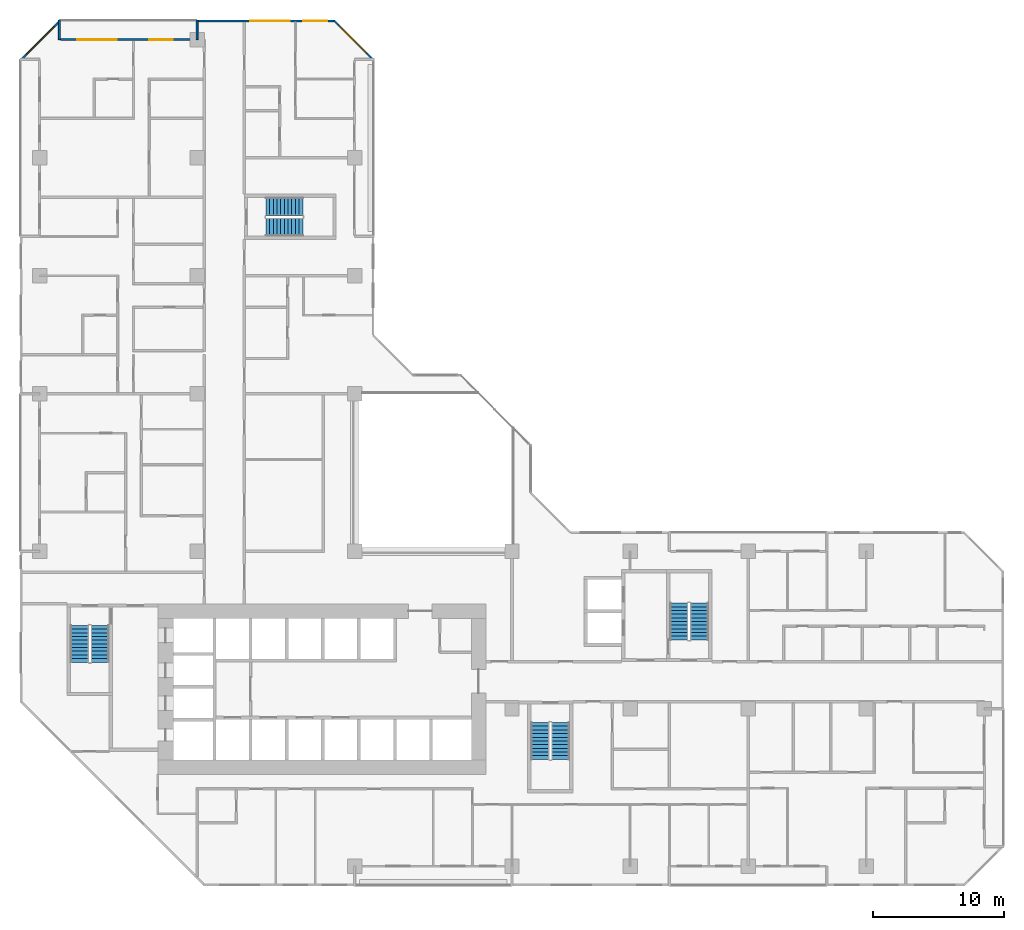
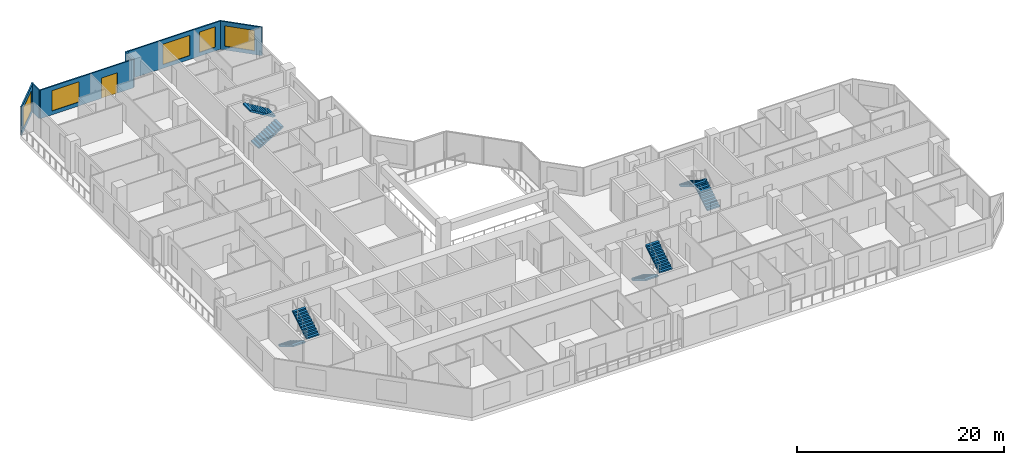
# One storey, part 13 of 15: 8 stair flights, 6 walls, 5 windows, 1 door, 6 openings, 4 elements without a shape of their own.
"""IFC4 building model written with IfcOpenShell, lengths in metres."""

from ifc_helpers import new_model, si_unit, direction, frame, frame_2d, origin, place, context, subcontext, project, spatial, polyline, rectangle, outline, extrude, material, layer, layer_set, type_object, element, fill, aggregate, save


model = new_model("IFC4")

# Units and contexts
model_context = context("Model", 3, precision=1e-05, world=origin(), true_north=direction((0.0, 1.0)))
body_context = subcontext(model_context, "Body", "Model", "MODEL_VIEW")
ifc_project = project(units=[si_unit("LENGTHUNIT", "METRE"), si_unit("AREAUNIT", "SQUARE_METRE"), si_unit("VOLUMEUNIT", "CUBIC_METRE"), si_unit("PLANEANGLEUNIT", "RADIAN"), si_unit("MASSUNIT", "GRAM", prefix="KILO")], contexts=[model_context])

# Site, building, storey
site_placement = place(None, origin())
site = spatial("IfcSite", under=ifc_project, at=site_placement, CompositionType="ELEMENT")
building_placement = place(site_placement, origin())
building = spatial("IfcBuilding", under=site, at=building_placement, Name="Chenar Terraces", CompositionType="ELEMENT")
storey_placement = place(building_placement, frame((0.0, 0.0, 52.64990234375)))
storey = spatial("IfcBuildingStorey", under=building, at=storey_placement, Name="L10", CompositionType="ELEMENT", Elevation=52.64990234375)

# Wall, openings, windows
ifc_material_1 = material(Name="Aluminium framed glazing", Category="aluminium")
ifc_layer_1 = layer(ifc_material_1, 0.14990234375)
ifc_layer_set_1 = layer_set([ifc_layer_1], Name="Aluminium framed glazing")
wall_type_1 = type_object("IfcWallType", Name="Glazed flush facade wall 150", PredefinedType="SOLIDWALL", material=ifc_layer_set_1)
wall_1_placement = place(storey_placement, frame((22.5, 64.425048828125, 0.0), z_axis=(0.0, 0.0, 1.0), x_axis=(-1.0, 0.0, 0.0)))
wall_1 = element("IfcWall", 1, at=wall_1_placement, inside=storey, type_object=wall_type_1, Name="Glazed flush facade wall", PredefinedType="SOLIDWALL", context=body_context, shape_type="SweptSolid", body=[
    extrude(rectangle(XDim=10.425048828125, YDim=0.14990234375, at=frame_2d((5.21240234375, 0.0))), origin(), (0.0, 0.0, 1.0), 3.35009765625),
])
opening_1_placement = place(wall_1_placement, frame((0.60009765625, 0.0, 0.449951171875)))
opening_1 = element("IfcOpeningElement", 2, at=opening_1_placement, cuts=wall_1, Name="Opening W180x240", PredefinedType="OPENING", context=body_context, shape_type="SweptSolid", body=[
    extrude(rectangle(XDim=1.800048828125, YDim=2.39990234375, at=frame_2d((0.89990234375, 1.199951171875))), frame((0.0, 0.0849609375, 0.0), z_axis=(0.0, -1.0, 0.0), x_axis=(1.0, 0.0, 0.0)), (0.0, 0.0, 1.0), 0.169921875),
])
opening_2_placement = place(wall_1_placement, frame((3.449951171875, 0.0, 0.449951171875)))
opening_2 = element("IfcOpeningElement", 3, at=opening_2_placement, cuts=wall_1, Name="Opening W300x240", PredefinedType="OPENING", context=body_context, shape_type="SweptSolid", body=[
    extrude(rectangle(XDim=3.0, YDim=2.39990234375, at=frame_2d((1.5, 1.199951171875))), frame((0.0, 0.0849609375, 0.0), z_axis=(0.0, -1.0, 0.0), x_axis=(1.0, 0.0, 0.0)), (0.0, 0.0, 1.0), 0.169921875),
])
ifc_material_2 = material(Name="Low emissivity double glazing, aluminium frame", Category="aluminium")
window_type_1 = type_object("IfcWindowType", Name="Fixed light 1800 x 2400", PartitioningType="SINGLE_PANEL", PredefinedType="WINDOW", material=ifc_material_2)
window_1_placement = place(opening_1_placement, origin())
window_1 = element("IfcWindow", 4, at=window_1_placement, inside=storey, type_object=window_type_1, Name="Window", OverallHeight=2.39990234375, OverallWidth=1.800048828125, PartitioningType="SINGLE_PANEL", PredefinedType="WINDOW", context=body_context, shape_type="SweptSolid", body=[
    extrude(rectangle(XDim=1.800048828125, YDim=2.39990234375, at=frame_2d((0.89990234375, 1.199951171875))), frame((0.0, 0.030029296875, 0.0), z_axis=(0.0, -1.0, 0.0), x_axis=(1.0, 0.0, 0.0)), (0.0, 0.0, 1.0), 0.06005859375),
])
fill(opening_1, window_1)
ifc_material_3 = material(Name="Low emissivity double glazing, aluminium frame", Category="aluminium")
window_type_2 = type_object("IfcWindowType", Name="Fixed light 3000 x 2400", PartitioningType="SINGLE_PANEL", PredefinedType="WINDOW", material=ifc_material_3)
window_2_placement = place(opening_2_placement, origin())
window_2 = element("IfcWindow", 5, at=window_2_placement, inside=storey, type_object=window_type_2, Name="Window", OverallHeight=2.39990234375, OverallWidth=3.0, PartitioningType="SINGLE_PANEL", PredefinedType="WINDOW", context=body_context, shape_type="SweptSolid", body=[
    extrude(rectangle(XDim=3.0, YDim=2.39990234375, at=frame_2d((1.5, 1.199951171875))), frame((0.0, 0.030029296875, 0.0), z_axis=(0.0, -1.0, 0.0), x_axis=(1.0, 0.0, 0.0)), (0.0, 0.0, 1.0), 0.06005859375),
])
fill(opening_2, window_2)

# Wall, openings, window, door
ifc_material_4 = material(Name="Aluminium framed glazing", Category="aluminium")
ifc_layer_2 = layer(ifc_material_4, 0.14990234375)
ifc_layer_set_2 = layer_set([ifc_layer_2], Name="Aluminium framed glazing")
wall_type_2 = type_object("IfcWallType", Name="Glazed loggia back wall 150", PredefinedType="SOLIDWALL", material=ifc_layer_set_2)
wall_2_placement = place(storey_placement, frame((11.925048828125, 63.0, 0.0), z_axis=(0.0, 0.0, 1.0), x_axis=(-1.0, 0.0, 0.0)))
wall_2 = element("IfcWall", 6, at=wall_2_placement, inside=storey, type_object=wall_type_2, Name="Glazed loggia back wall", PredefinedType="SOLIDWALL", context=body_context, shape_type="SweptSolid", body=[
    extrude(rectangle(XDim=10.35009765625, YDim=0.14990234375, at=frame_2d((5.175048828125, 0.0))), origin(), (0.0, 0.0, 1.0), 3.35009765625),
])
opening_3_placement = place(wall_2_placement, frame((1.77490234375, 0.0, 0.0)))
opening_3 = element("IfcOpeningElement", 7, at=opening_3_placement, cuts=wall_2, Name="Opening DL10-G2", PredefinedType="OPENING", context=body_context, shape_type="SweptSolid", body=[
    extrude(rectangle(XDim=1.800048828125, YDim=2.39990234375, at=frame_2d((0.89990234375, 1.199951171875))), frame((0.0, 0.0849609375, 0.0), z_axis=(0.0, -1.0, 0.0), x_axis=(1.0, 0.0, 0.0)), (0.0, 0.0, 1.0), 0.169921875),
])
opening_4_placement = place(wall_2_placement, frame((6.0625, 0.0, 0.449951171875)))
opening_4 = element("IfcOpeningElement", 8, at=opening_4_placement, cuts=wall_2, Name="Opening W300x240", PredefinedType="OPENING", context=body_context, shape_type="SweptSolid", body=[
    extrude(rectangle(XDim=3.0, YDim=2.39990234375, at=frame_2d((1.5, 1.199951171875))), frame((0.0, 0.0849609375, 0.0), z_axis=(0.0, -1.0, 0.0), x_axis=(1.0, 0.0, 0.0)), (0.0, 0.0, 1.0), 0.169921875),
])
window_3_placement = place(opening_4_placement, origin())
window_3 = element("IfcWindow", 9, at=window_3_placement, inside=storey, type_object=window_type_2, Name="Window", OverallHeight=2.39990234375, OverallWidth=3.0, PartitioningType="SINGLE_PANEL", PredefinedType="WINDOW", context=body_context, shape_type="SweptSolid", body=[
    extrude(rectangle(XDim=3.0, YDim=2.39990234375, at=frame_2d((1.5, 1.199951171875))), frame((0.0, 0.030029296875, 0.0), z_axis=(0.0, -1.0, 0.0), x_axis=(1.0, 0.0, 0.0)), (0.0, 0.0, 1.0), 0.06005859375),
])
fill(opening_4, window_3)
ifc_material_5 = material(Name="Low emissivity double glazing, aluminium frame", Category="aluminium")
door_type = type_object("IfcDoorType", Name="Loggia glazed double door 1800 x 2400", OperationType="DOUBLE_DOOR_SINGLE_SWING", PredefinedType="DOOR", material=ifc_material_5)
door_placement = place(opening_3_placement, frame((1.800048828125, 0.0, 0.0), z_axis=(0.0, 0.0, 1.0), x_axis=(-1.0, 0.0, 0.0)))
door = element("IfcDoor", 10, at=door_placement, inside=storey, type_object=door_type, Name="Loggia glazed door", OperationType="DOUBLE_DOOR_SINGLE_SWING", OverallHeight=2.39990234375, OverallWidth=1.800048828125, PredefinedType="DOOR", context=body_context, shape_type="SweptSolid", body=[
    extrude(rectangle(XDim=1.800048828125, YDim=2.39990234375, at=frame_2d((0.89990234375, 1.199951171875))), frame((0.0, 0.02490234375, 0.0), z_axis=(0.0, -1.0, 0.0), x_axis=(1.0, 0.0, 0.0)), (0.0, 0.0, 1.0), 0.050048828125),
])
fill(opening_3, door)

# Walls
ifc_material_6 = material(Name="Terracotta cladding on insulated backing", Category="masonry")
ifc_layer_3 = layer(ifc_material_6, 0.14990234375)
ifc_layer_set_3 = layer_set([ifc_layer_3], Name="Terracotta cladding on insulated backing")
wall_type_3 = type_object("IfcWallType", Name="Loggia return wall 150", PredefinedType="SOLIDWALL", material=ifc_layer_set_3)
for number, where, z_axis, x_axis, name in (
    (11, (12.0, 64.5, 0.0), (0.0, 0.0, 1.0), (0.0, -1.0, 0.0), "Loggia return wall"),
    (12, (1.5, 64.5, 0.0), (0.0, 0.0, 1.0), (0.0, -1.0, 0.0), "Loggia return wall"),
):
    element("IfcWall", number, at=place(storey_placement, frame(where, z_axis=z_axis, x_axis=x_axis)), inside=storey, type_object=wall_type_3, Name=name, PredefinedType="SOLIDWALL", context=body_context, shape_type="SweptSolid", body=[
        extrude(rectangle(XDim=1.5, YDim=0.14990234375, at=frame_2d((0.75, 0.0))), origin(), (0.0, 0.0, 1.0), 3.35009765625),
    ])

# Wall, opening, window
ifc_material_7 = material(Name="Terracotta cladding on insulated backing", Category="masonry")
ifc_layer_4 = layer(ifc_material_7, 0.14990234375)
ifc_layer_set_4 = layer_set([ifc_layer_4], Name="Terracotta cladding on insulated backing")
wall_type_4 = type_object("IfcWallType", Name="Terracotta rainscreen wall 150", PredefinedType="SOLIDWALL", material=ifc_layer_set_4)
wall_3_placement = place(storey_placement, frame((25.447021484375, 61.447021484375, 0.0), z_axis=(0.0, 0.0, 1.0), x_axis=(-0.707106781187, 0.707106781187, 0.0)))
wall_3 = element("IfcWall", 13, at=wall_3_placement, inside=storey, type_object=wall_type_4, Name="Terracotta rainscreen wall", PredefinedType="SOLIDWALL", context=body_context, shape_type="SweptSolid", body=[
    extrude(rectangle(XDim=4.24267578125, YDim=0.14990234375, at=frame_2d((2.121337890625, 0.0))), origin(), (0.0, 0.0, 1.0), 3.35009765625),
])
opening_5_placement = place(wall_3_placement, frame((0.744384765625, 0.0, 0.449951171875)))
opening_5 = element("IfcOpeningElement", 14, at=opening_5_placement, cuts=wall_3, Name="Opening W300x240", PredefinedType="OPENING", context=body_context, shape_type="SweptSolid", body=[
    extrude(rectangle(XDim=3.0, YDim=2.39990234375, at=frame_2d((1.5, 1.199951171875))), frame((0.0, 0.0849609375, 0.0), z_axis=(0.0, -1.0, 0.0), x_axis=(1.0, 0.0, 0.0)), (0.0, 0.0, 1.0), 0.169921875),
])
window_4_placement = place(opening_5_placement, origin())
window_4 = element("IfcWindow", 15, at=window_4_placement, inside=storey, type_object=window_type_2, Name="Window", OverallHeight=2.39990234375, OverallWidth=3.0, PartitioningType="SINGLE_PANEL", PredefinedType="WINDOW", context=body_context, shape_type="SweptSolid", body=[
    extrude(rectangle(XDim=3.0, YDim=2.39990234375, at=frame_2d((1.5, 1.199951171875))), frame((0.0, 0.030029296875, 0.0), z_axis=(0.0, -1.0, 0.0), x_axis=(1.0, 0.0, 0.0)), (0.0, 0.0, 1.0), 0.06005859375),
])
fill(opening_5, window_4)

wall_4_placement = place(storey_placement, frame((1.552978515625, 64.447021484375, 0.0), z_axis=(0.0, 0.0, 1.0), x_axis=(-0.707106781187, -0.707106781187, 0.0)))
wall_4 = element("IfcWall", 16, at=wall_4_placement, inside=storey, type_object=wall_type_4, Name="Terracotta rainscreen wall", PredefinedType="SOLIDWALL", context=body_context, shape_type="SweptSolid", body=[
    extrude(rectangle(XDim=4.24267578125, YDim=0.14990234375, at=frame_2d((2.121337890625, 0.0))), origin(), (0.0, 0.0, 1.0), 3.35009765625),
])
opening_6_placement = place(wall_4_placement, frame((0.621337890625, 0.0, 0.449951171875)))
opening_6 = element("IfcOpeningElement", 17, at=opening_6_placement, cuts=wall_4, Name="Opening W300x240", PredefinedType="OPENING", context=body_context, shape_type="SweptSolid", body=[
    extrude(rectangle(XDim=3.0, YDim=2.39990234375, at=frame_2d((1.5, 1.199951171875))), frame((0.0, 0.0849609375, 0.0), z_axis=(0.0, -1.0, 0.0), x_axis=(1.0, 0.0, 0.0)), (0.0, 0.0, 1.0), 0.169921875),
])
window_5_placement = place(opening_6_placement, origin())
window_5 = element("IfcWindow", 18, at=window_5_placement, inside=storey, type_object=window_type_2, Name="Window", OverallHeight=2.39990234375, OverallWidth=3.0, PartitioningType="SINGLE_PANEL", PredefinedType="WINDOW", context=body_context, shape_type="SweptSolid", body=[
    extrude(rectangle(XDim=3.0, YDim=2.39990234375, at=frame_2d((1.5, 1.199951171875))), frame((0.0, 0.030029296875, 0.0), z_axis=(0.0, -1.0, 0.0), x_axis=(1.0, 0.0, 0.0)), (0.0, 0.0, 1.0), 0.06005859375),
])
fill(opening_6, window_5)

# Stair, stair flights
ifc_material_8 = material(Name="Reinforced concrete C40/50", Category="concrete")
stair_type = type_object("IfcStairType", Name="Core stair 1400 half-turn", PredefinedType="HALF_TURN_STAIR", material=ifc_material_8)
placement = place(storey_placement, origin())
stair_1 = element("IfcStair", 19, at=placement, inside=storey, type_object=stair_type, Name="L10 Stair 1", PredefinedType="HALF_TURN_STAIR")
ifc_material_9 = material(Name="Reinforced concrete C40/50", Category="concrete")
stair_flight_type = type_object("IfcStairFlightType", Name="Core stair flight 1400", PredefinedType="STRAIGHT", material=ifc_material_9)
stair_flight_1_placement = place(storey_placement, frame((3.050048828125, 18.35009765625, 0.0), z_axis=(0.0, 0.0, 1.0), x_axis=(0.0, -1.0, 0.0)))
stair_flight_1 = element("IfcStairFlight", 20, at=stair_flight_1_placement, type_object=stair_flight_type, Name="ST1 flight 1", NumberOfRisers=11, NumberOfTreads=10, PredefinedType="STRAIGHT", RiserHeight=0.170454545, TreadLength=0.28, context=body_context, shape_type="SweptSolid", body=[
    extrude(outline(polyline([(-0.0029296875, 0.0), (-0.0029296875, 0.17041015625), (0.0, 0.17041015625), (0.280029296875, 0.17041015625), (0.280029296875, 0.3408203125), (0.56005859375, 0.3408203125), (0.56005859375, 0.511474609375), (0.840087890625, 0.511474609375), (0.840087890625, 0.681884765625), (1.1201171875, 0.681884765625), (1.1201171875, 0.852294921875), (1.39990234375, 0.852294921875), (1.39990234375, 1.022705078125), (1.679931640625, 1.022705078125), (1.679931640625, 1.193115234375), (1.9599609375, 1.193115234375), (1.9599609375, 1.363525390625), (2.239990234375, 1.363525390625), (2.239990234375, 1.5341796875), (2.52001953125, 1.5341796875), (2.52001953125, 1.70458984375), (2.800048828125, 1.70458984375), (2.802978515625, 1.70458984375), (2.802978515625, 1.529052734375), (2.800048828125, 1.529052734375), (0.288330078125, 0.0), (-0.0029296875, 0.0)])), frame((0.0, 0.699951171875, 0.0), z_axis=(0.0, -1.0, 0.0), x_axis=(1.0, 0.0, 0.0)), (0.0, 0.0, 1.0), 1.39990234375),
])
stair_flight_2_placement = place(storey_placement, frame((4.60009765625, 15.550048828125, 1.875), z_axis=(0.0, 0.0, 1.0), x_axis=(0.0, 1.0, 0.0)))
stair_flight_2 = element("IfcStairFlight", 21, at=stair_flight_2_placement, type_object=stair_flight_type, Name="ST1 flight 2", NumberOfRisers=11, NumberOfTreads=10, PredefinedType="STRAIGHT", RiserHeight=0.170454545, TreadLength=0.28, context=body_context, shape_type="SweptSolid", body=[
    extrude(outline(polyline([(-0.0029296875, 0.0), (-0.0029296875, 0.17041015625), (0.0, 0.17041015625), (0.280029296875, 0.17041015625), (0.280029296875, 0.3408203125), (0.56005859375, 0.3408203125), (0.56005859375, 0.511474609375), (0.840087890625, 0.511474609375), (0.840087890625, 0.681884765625), (1.1201171875, 0.681884765625), (1.1201171875, 0.852294921875), (1.39990234375, 0.852294921875), (1.39990234375, 1.022705078125), (1.679931640625, 1.022705078125), (1.679931640625, 1.193115234375), (1.9599609375, 1.193115234375), (1.9599609375, 1.363525390625), (2.239990234375, 1.363525390625), (2.239990234375, 1.5341796875), (2.52001953125, 1.5341796875), (2.52001953125, 1.70458984375), (2.800048828125, 1.70458984375), (2.802978515625, 1.70458984375), (2.802978515625, 1.529052734375), (2.800048828125, 1.529052734375), (0.288330078125, 0.0), (-0.0029296875, 0.0)])), frame((0.0, 0.699951171875, 0.0), z_axis=(0.0, -1.0, 0.0), x_axis=(1.0, 0.0, 0.0)), (0.0, 0.0, 1.0), 1.39990234375),
])
aggregate(stair_1, [stair_flight_1, stair_flight_2])

stair_2 = element("IfcStair", 22, at=placement, inside=storey, type_object=stair_type, Name="L10 Stair 2", PredefinedType="HALF_TURN_STAIR")
stair_flight_3_placement = place(storey_placement, frame((38.14990234375, 10.949951171875, 0.0), z_axis=(0.0, 0.0, 1.0), x_axis=(0.0, -1.0, 0.0)))
stair_flight_3 = element("IfcStairFlight", 23, at=stair_flight_3_placement, type_object=stair_flight_type, Name="ST2 flight 1", NumberOfRisers=11, NumberOfTreads=10, PredefinedType="STRAIGHT", RiserHeight=0.170454545, TreadLength=0.28, context=body_context, shape_type="SweptSolid", body=[
    extrude(outline(polyline([(-0.0029296875, 0.0), (-0.0029296875, 0.17041015625), (0.0, 0.17041015625), (0.280029296875, 0.17041015625), (0.280029296875, 0.3408203125), (0.56005859375, 0.3408203125), (0.56005859375, 0.511474609375), (0.840087890625, 0.511474609375), (0.840087890625, 0.681884765625), (1.1201171875, 0.681884765625), (1.1201171875, 0.852294921875), (1.39990234375, 0.852294921875), (1.39990234375, 1.022705078125), (1.679931640625, 1.022705078125), (1.679931640625, 1.193115234375), (1.9599609375, 1.193115234375), (1.9599609375, 1.363525390625), (2.239990234375, 1.363525390625), (2.239990234375, 1.5341796875), (2.52001953125, 1.5341796875), (2.52001953125, 1.70458984375), (2.800048828125, 1.70458984375), (2.802978515625, 1.70458984375), (2.802978515625, 1.529052734375), (2.800048828125, 1.529052734375), (0.288330078125, 0.0), (-0.0029296875, 0.0)])), frame((0.0, 0.699951171875, 0.0), z_axis=(0.0, -1.0, 0.0), x_axis=(1.0, 0.0, 0.0)), (0.0, 0.0, 1.0), 1.39990234375),
])
stair_flight_4_placement = place(storey_placement, frame((39.699951171875, 8.14990234375, 1.875), z_axis=(0.0, 0.0, 1.0), x_axis=(0.0, 1.0, 0.0)))
stair_flight_4 = element("IfcStairFlight", 24, at=stair_flight_4_placement, type_object=stair_flight_type, Name="ST2 flight 2", NumberOfRisers=11, NumberOfTreads=10, PredefinedType="STRAIGHT", RiserHeight=0.170454545, TreadLength=0.28, context=body_context, shape_type="SweptSolid", body=[
    extrude(outline(polyline([(-0.0029296875, 0.0), (-0.0029296875, 0.17041015625), (0.0, 0.17041015625), (0.280029296875, 0.17041015625), (0.280029296875, 0.3408203125), (0.56005859375, 0.3408203125), (0.56005859375, 0.511474609375), (0.840087890625, 0.511474609375), (0.840087890625, 0.681884765625), (1.1201171875, 0.681884765625), (1.1201171875, 0.852294921875), (1.39990234375, 0.852294921875), (1.39990234375, 1.022705078125), (1.679931640625, 1.022705078125), (1.679931640625, 1.193115234375), (1.9599609375, 1.193115234375), (1.9599609375, 1.363525390625), (2.239990234375, 1.363525390625), (2.239990234375, 1.5341796875), (2.52001953125, 1.5341796875), (2.52001953125, 1.70458984375), (2.800048828125, 1.70458984375), (2.802978515625, 1.70458984375), (2.802978515625, 1.529052734375), (2.800048828125, 1.529052734375), (0.288330078125, 0.0), (-0.0029296875, 0.0)])), frame((0.0, 0.699951171875, 0.0), z_axis=(0.0, -1.0, 0.0), x_axis=(1.0, 0.0, 0.0)), (0.0, 0.0, 1.0), 1.39990234375),
])
aggregate(stair_2, [stair_flight_3, stair_flight_4])

stair_3 = element("IfcStair", 25, at=placement, inside=storey, type_object=stair_type, Name="L10 Stair 3", PredefinedType="HALF_TURN_STAIR")
stair_flight_5_placement = place(storey_placement, frame((50.27490234375, 17.25, 0.0), z_axis=(0.0, 0.0, 1.0), x_axis=(0.0, 1.0, 0.0)))
stair_flight_5 = element("IfcStairFlight", 26, at=stair_flight_5_placement, type_object=stair_flight_type, Name="ST3 flight 1", NumberOfRisers=11, NumberOfTreads=10, PredefinedType="STRAIGHT", RiserHeight=0.170454545, TreadLength=0.28, context=body_context, shape_type="SweptSolid", body=[
    extrude(outline(polyline([(-0.0029296875, 0.0), (-0.0029296875, 0.17041015625), (0.0, 0.17041015625), (0.280029296875, 0.17041015625), (0.280029296875, 0.3408203125), (0.56005859375, 0.3408203125), (0.56005859375, 0.511474609375), (0.840087890625, 0.511474609375), (0.840087890625, 0.681884765625), (1.1201171875, 0.681884765625), (1.1201171875, 0.852294921875), (1.39990234375, 0.852294921875), (1.39990234375, 1.022705078125), (1.679931640625, 1.022705078125), (1.679931640625, 1.193115234375), (1.9599609375, 1.193115234375), (1.9599609375, 1.363525390625), (2.239990234375, 1.363525390625), (2.239990234375, 1.5341796875), (2.52001953125, 1.5341796875), (2.52001953125, 1.70458984375), (2.800048828125, 1.70458984375), (2.802978515625, 1.70458984375), (2.802978515625, 1.529052734375), (2.800048828125, 1.529052734375), (0.288330078125, 0.0), (-0.0029296875, 0.0)])), frame((0.0, 0.699951171875, 0.0), z_axis=(0.0, -1.0, 0.0), x_axis=(1.0, 0.0, 0.0)), (0.0, 0.0, 1.0), 1.39990234375),
])
stair_flight_6_placement = place(storey_placement, frame((48.72509765625, 20.050048828125, 1.875), z_axis=(0.0, 0.0, 1.0), x_axis=(0.0, -1.0, 0.0)))
stair_flight_6 = element("IfcStairFlight", 27, at=stair_flight_6_placement, type_object=stair_flight_type, Name="ST3 flight 2", NumberOfRisers=11, NumberOfTreads=10, PredefinedType="STRAIGHT", RiserHeight=0.170454545, TreadLength=0.28, context=body_context, shape_type="SweptSolid", body=[
    extrude(outline(polyline([(-0.0029296875, 0.0), (-0.0029296875, 0.17041015625), (0.0, 0.17041015625), (0.280029296875, 0.17041015625), (0.280029296875, 0.3408203125), (0.56005859375, 0.3408203125), (0.56005859375, 0.511474609375), (0.840087890625, 0.511474609375), (0.840087890625, 0.681884765625), (1.1201171875, 0.681884765625), (1.1201171875, 0.852294921875), (1.39990234375, 0.852294921875), (1.39990234375, 1.022705078125), (1.679931640625, 1.022705078125), (1.679931640625, 1.193115234375), (1.9599609375, 1.193115234375), (1.9599609375, 1.363525390625), (2.239990234375, 1.363525390625), (2.239990234375, 1.5341796875), (2.52001953125, 1.5341796875), (2.52001953125, 1.70458984375), (2.800048828125, 1.70458984375), (2.802978515625, 1.70458984375), (2.802978515625, 1.529052734375), (2.800048828125, 1.529052734375), (0.288330078125, 0.0), (-0.0029296875, 0.0)])), frame((0.0, 0.699951171875, 0.0), z_axis=(0.0, -1.0, 0.0), x_axis=(1.0, 0.0, 0.0)), (0.0, 0.0, 1.0), 1.39990234375),
])
aggregate(stair_3, [stair_flight_5, stair_flight_6])

stair_4 = element("IfcStair", 28, at=placement, inside=storey, type_object=stair_type, Name="L10 Stair 4", PredefinedType="HALF_TURN_STAIR")
stair_flight_7_placement = place(storey_placement, frame((17.25, 48.72509765625, 0.0), z_axis=(0.0, 0.0, 1.0), x_axis=(1.0, 0.0, 0.0)))
stair_flight_7 = element("IfcStairFlight", 29, at=stair_flight_7_placement, type_object=stair_flight_type, Name="ST4 flight 1", NumberOfRisers=11, NumberOfTreads=10, PredefinedType="STRAIGHT", RiserHeight=0.170454545, TreadLength=0.28, context=body_context, shape_type="SweptSolid", body=[
    extrude(outline(polyline([(-0.0029296875, 0.0), (-0.0029296875, 0.17041015625), (0.0, 0.17041015625), (0.280029296875, 0.17041015625), (0.280029296875, 0.3408203125), (0.56005859375, 0.3408203125), (0.56005859375, 0.511474609375), (0.840087890625, 0.511474609375), (0.840087890625, 0.681884765625), (1.1201171875, 0.681884765625), (1.1201171875, 0.852294921875), (1.39990234375, 0.852294921875), (1.39990234375, 1.022705078125), (1.679931640625, 1.022705078125), (1.679931640625, 1.193115234375), (1.9599609375, 1.193115234375), (1.9599609375, 1.363525390625), (2.239990234375, 1.363525390625), (2.239990234375, 1.5341796875), (2.52001953125, 1.5341796875), (2.52001953125, 1.70458984375), (2.800048828125, 1.70458984375), (2.802978515625, 1.70458984375), (2.802978515625, 1.529052734375), (2.800048828125, 1.529052734375), (0.288330078125, 0.0), (-0.0029296875, 0.0)])), frame((0.0, 0.699951171875, 0.0), z_axis=(0.0, -1.0, 0.0), x_axis=(1.0, 0.0, 0.0)), (0.0, 0.0, 1.0), 1.39990234375),
])
stair_flight_8_placement = place(storey_placement, frame((20.050048828125, 50.27490234375, 1.875), z_axis=(0.0, 0.0, 1.0), x_axis=(-1.0, 0.0, 0.0)))
stair_flight_8 = element("IfcStairFlight", 30, at=stair_flight_8_placement, type_object=stair_flight_type, Name="ST4 flight 2", NumberOfRisers=11, NumberOfTreads=10, PredefinedType="STRAIGHT", RiserHeight=0.170454545, TreadLength=0.28, context=body_context, shape_type="SweptSolid", body=[
    extrude(outline(polyline([(-0.0029296875, 0.0), (-0.0029296875, 0.17041015625), (0.0, 0.17041015625), (0.280029296875, 0.17041015625), (0.280029296875, 0.3408203125), (0.56005859375, 0.3408203125), (0.56005859375, 0.511474609375), (0.840087890625, 0.511474609375), (0.840087890625, 0.681884765625), (1.1201171875, 0.681884765625), (1.1201171875, 0.852294921875), (1.39990234375, 0.852294921875), (1.39990234375, 1.022705078125), (1.679931640625, 1.022705078125), (1.679931640625, 1.193115234375), (1.9599609375, 1.193115234375), (1.9599609375, 1.363525390625), (2.239990234375, 1.363525390625), (2.239990234375, 1.5341796875), (2.52001953125, 1.5341796875), (2.52001953125, 1.70458984375), (2.800048828125, 1.70458984375), (2.802978515625, 1.70458984375), (2.802978515625, 1.529052734375), (2.800048828125, 1.529052734375), (0.288330078125, 0.0), (-0.0029296875, 0.0)])), frame((0.0, 0.699951171875, 0.0), z_axis=(0.0, -1.0, 0.0), x_axis=(1.0, 0.0, 0.0)), (0.0, 0.0, 1.0), 1.39990234375),
])
aggregate(stair_4, [stair_flight_7, stair_flight_8])

save(model, "model.ifc")
